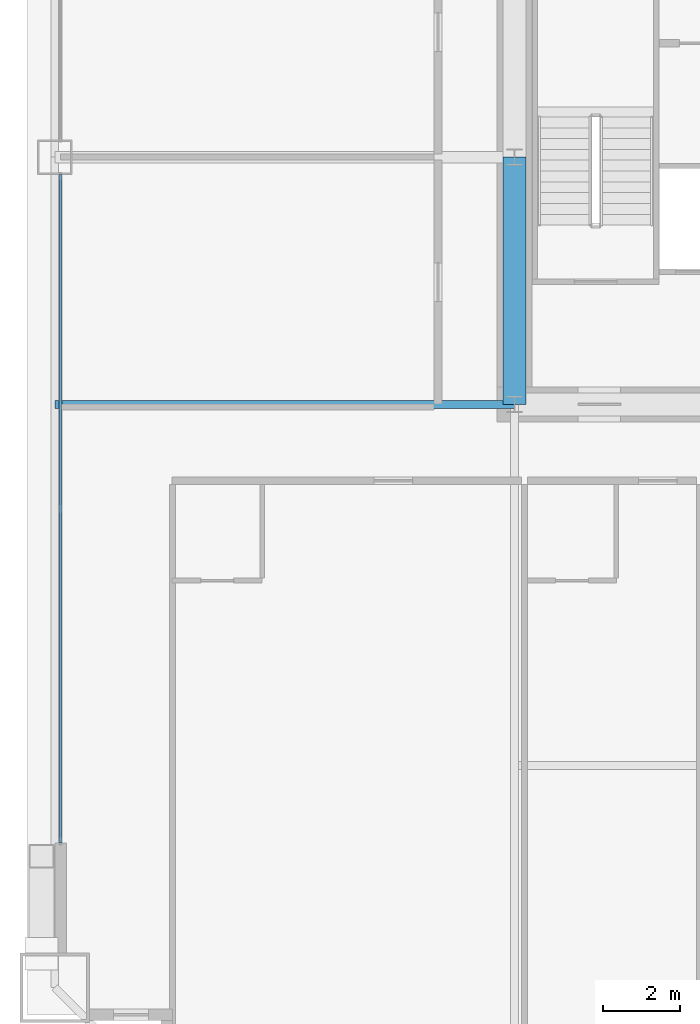
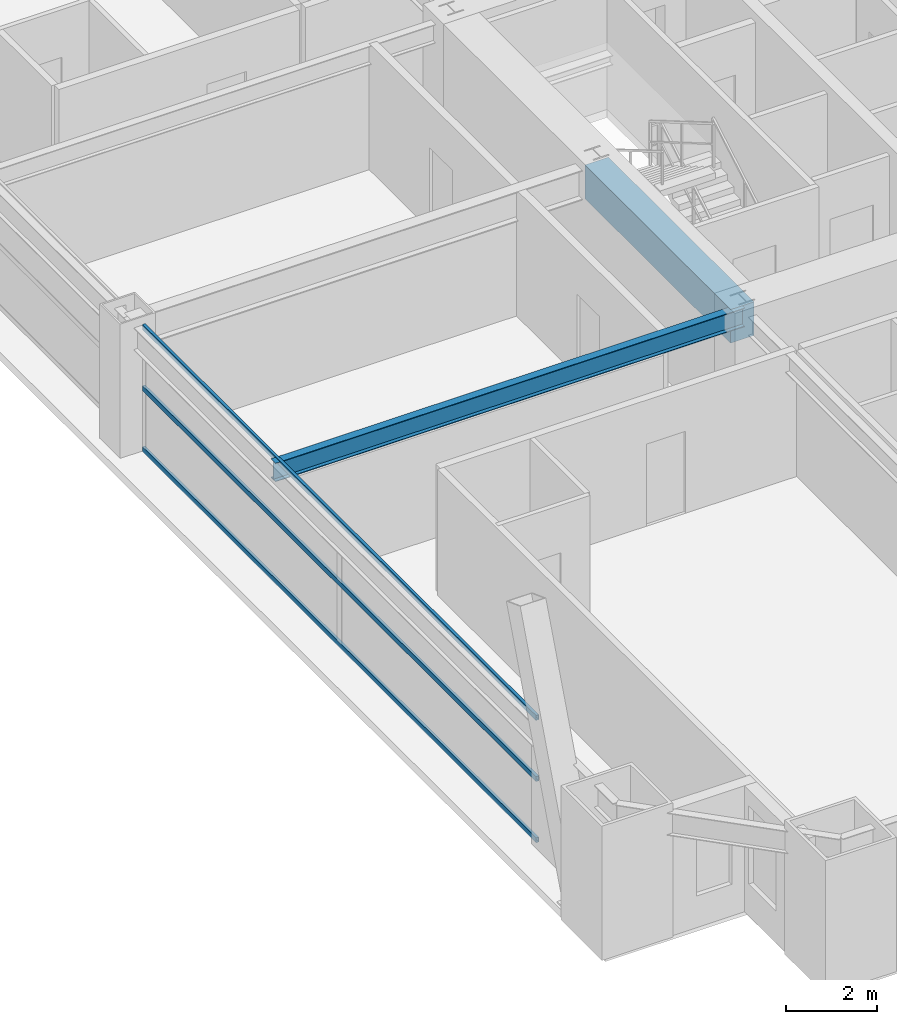
# One storey, part 10 of 43: 3 members, 2 beams, 1 element without a shape of its own.
"""IFC4 building model written with IfcOpenShell, lengths in metres."""

from ifc_helpers import new_model, si_unit, direction, frame, origin, origin_2d, place, context, subcontext, project, spatial, rectangle, hollow_rectangle, i_section, extrude, source, transform, mapped, material, layer, layer_set, material_profile, profile_set, type_object, element, aggregate, save


model = new_model("IFC4")

# Units and contexts
model_context = context("Model", 3, precision=1e-05, world=origin(), true_north=direction((0.0, 1.0)))
body_context = subcontext(model_context, "Body", "Model", "MODEL_VIEW")
ifc_project = project(units=[si_unit("LENGTHUNIT", "METRE"), si_unit("AREAUNIT", "SQUARE_METRE"), si_unit("VOLUMEUNIT", "CUBIC_METRE"), si_unit("PLANEANGLEUNIT", "RADIAN"), si_unit("MASSUNIT", "GRAM", prefix="KILO"), si_unit("THERMODYNAMICTEMPERATUREUNIT", "KELVIN"), si_unit("POWERUNIT", "WATT")], contexts=[model_context])

# Site, building, storey
site_placement = place(None, origin())
site = spatial("IfcSite", under=ifc_project, at=site_placement, CompositionType="ELEMENT")
building_placement = place(site_placement, origin())
building = spatial("IfcBuilding", under=site, at=building_placement, Name="Yuzanri Waterfront Tower", CompositionType="ELEMENT")
storey_placement = place(building_placement, frame((0.0, 0.0, 67.60009765625)))
storey = spatial("IfcBuildingStorey", under=building, at=storey_placement, Name="L17", CompositionType="ELEMENT", Elevation=67.60009765625)

# Beams
ifc_material_1 = material(Name="Concrete C60", Category="concrete")
ifc_material_profile_1 = material_profile(ifc_material_1, rectangle(XDim=0.60009765625, YDim=0.89990234375, at=origin_2d()), Name="RC 600x900")
ifc_profile_set_1 = profile_set([ifc_material_profile_1], Name="Concrete C60")
beam_type_1 = type_object("IfcBeamType", Name="Core Coupling Lintel Concrete C60 600x900", PredefinedType="LINTEL", material=ifc_profile_set_1)
shared_shape_1 = source(origin(), body_context, "Body", "SweptSolid", [
    extrude(rectangle(XDim=0.60009765625, YDim=0.89990234375, at=origin_2d()), origin(), (0.0, 0.0, 1.0), 6.400146484375),
])
beam_1_placement = place(storey_placement, frame((23.800048828125, 19.39990234375, 2.929931640625), z_axis=(0.0, 1.0, 0.0), x_axis=(-1.0, 0.0, 0.0)))
element("IfcBeam", 1, at=beam_1_placement, inside=storey, type_object=beam_type_1, Name="L17 Core Tie Beam CW1", PredefinedType="LINTEL", context=body_context, shape_type="MappedRepresentation", body=[
    mapped(shared_shape_1, transform((0.0, 0.0, 0.0), scale=1.0)),
])
ifc_material_2 = material(Name="Steel Q355B", Category="steel")
ifc_material_profile_2 = material_profile(ifc_material_2, i_section(OverallWidth=0.199951171875, OverallDepth=0.5, WebThickness=0.010009765625, FlangeThickness=0.01611328125, at=origin_2d()), Name="HN 500x200x10x16")
ifc_profile_set_2 = profile_set([ifc_material_profile_2], Name="Steel Q355B")
beam_type_2 = type_object("IfcBeamType", Name="Secondary Floor Beam Q355B HN 500x200", PredefinedType="BEAM", material=ifc_profile_set_2)
shared_shape_2 = source(origin(), body_context, "Body", "SweptSolid", [
    extrude(i_section(OverallWidth=0.199951171875, OverallDepth=0.5, WebThickness=0.010009765625, FlangeThickness=0.01611328125, at=origin_2d()), origin(), (0.0, 0.0, 1.0), 11.900146484375),
])
beam_2_placement = place(storey_placement, frame((23.800048828125, 19.39990234375, 3.1298828125), z_axis=(-1.0, 0.0, 0.0), x_axis=(0.0, -1.0, 0.0)))
element("IfcBeam", 2, at=beam_2_placement, inside=storey, type_object=beam_type_2, Name="L17 West-South Core Line Beam", PredefinedType="BEAM", context=body_context, shape_type="MappedRepresentation", body=[
    mapped(shared_shape_2, transform((0.0, 0.0, 0.0), scale=1.0)),
])

# Curtain wall, members
ifc_material_3 = material(Name="Anodized Architectural Bronze", Category="metal")
ifc_layer = layer(ifc_material_3, 0.159912109375)
ifc_layer_set = layer_set([ifc_layer], Name="Anodized Architectural Bronze")
curtain_wall_type = type_object("IfcCurtainWallType", Name="Anodized Bronze Hotel Lower-Tier Recessed Unitized Curtain Wall 8100", PredefinedType="NOTDEFINED", material=ifc_layer_set)
curtain_wall_placement = place(storey_placement, origin())
curtain_wall = element("IfcCurtainWall", 3, at=curtain_wall_placement, inside=storey, type_object=curtain_wall_type, Name="L17 Curtain Wall CW-L17-WL", PredefinedType="NOTDEFINED")
ifc_material_4 = material(Name="Anodized Architectural Bronze", Category="metal")
ifc_material_profile_3 = material_profile(ifc_material_4, hollow_rectangle(XDim=0.070068359375, YDim=0.135009765625, WallThickness=0.00341796875, at=origin_2d()), Name="CWT 70x135")
ifc_profile_set_3 = profile_set([ifc_material_profile_3], Name="Anodized Architectural Bronze")
member_type = type_object("IfcMemberType", Name="Anodized Bronze Standard Curtain-Wall Transom 70x135", PredefinedType="USERDEFINED", material=ifc_profile_set_3)
shared_shape_3 = source(origin(), body_context, "Body", "SweptSolid", [
    extrude(hollow_rectangle(XDim=0.070068359375, YDim=0.135009765625, WallThickness=0.00341796875, at=origin_2d()), origin(), (0.0, 0.0, 1.0), 17.300048828125),
])
member_1_placement = place(storey_placement, frame((12.050048828125, 8.050048828125, 0.0498046875), z_axis=(0.0, 1.0, 0.0), x_axis=(-1.0, 0.0, 0.0)))
member_1 = element("IfcMember", 4, at=member_1_placement, type_object=member_type, Name="CW-L17-WL Transom 1", ObjectType="TRANSOM", PredefinedType="USERDEFINED", context=body_context, shape_type="MappedRepresentation", body=[
    mapped(shared_shape_3, transform((0.0, 0.0, 0.0), scale=1.0)),
])
member_2_placement = place(storey_placement, frame((12.050048828125, 8.050048828125, 1.68994140625), z_axis=(0.0, 1.0, 0.0), x_axis=(-1.0, 0.0, 0.0)))
member_2 = element("IfcMember", 5, at=member_2_placement, type_object=member_type, Name="CW-L17-WL Transom 2", ObjectType="TRANSOM", PredefinedType="USERDEFINED", context=body_context, shape_type="MappedRepresentation", body=[
    mapped(shared_shape_3, transform((0.0, 0.0, 0.0), scale=1.0)),
])
member_3_placement = place(storey_placement, frame((12.050048828125, 8.050048828125, 3.329833984375), z_axis=(0.0, 1.0, 0.0), x_axis=(-1.0, 0.0, 0.0)))
member_3 = element("IfcMember", 6, at=member_3_placement, type_object=member_type, Name="CW-L17-WL Transom 3", ObjectType="TRANSOM", PredefinedType="USERDEFINED", context=body_context, shape_type="MappedRepresentation", body=[
    mapped(shared_shape_3, transform((0.0, 0.0, 0.0), scale=1.0)),
])
aggregate(curtain_wall, [member_1, member_2, member_3])

save(model, "model.ifc")
